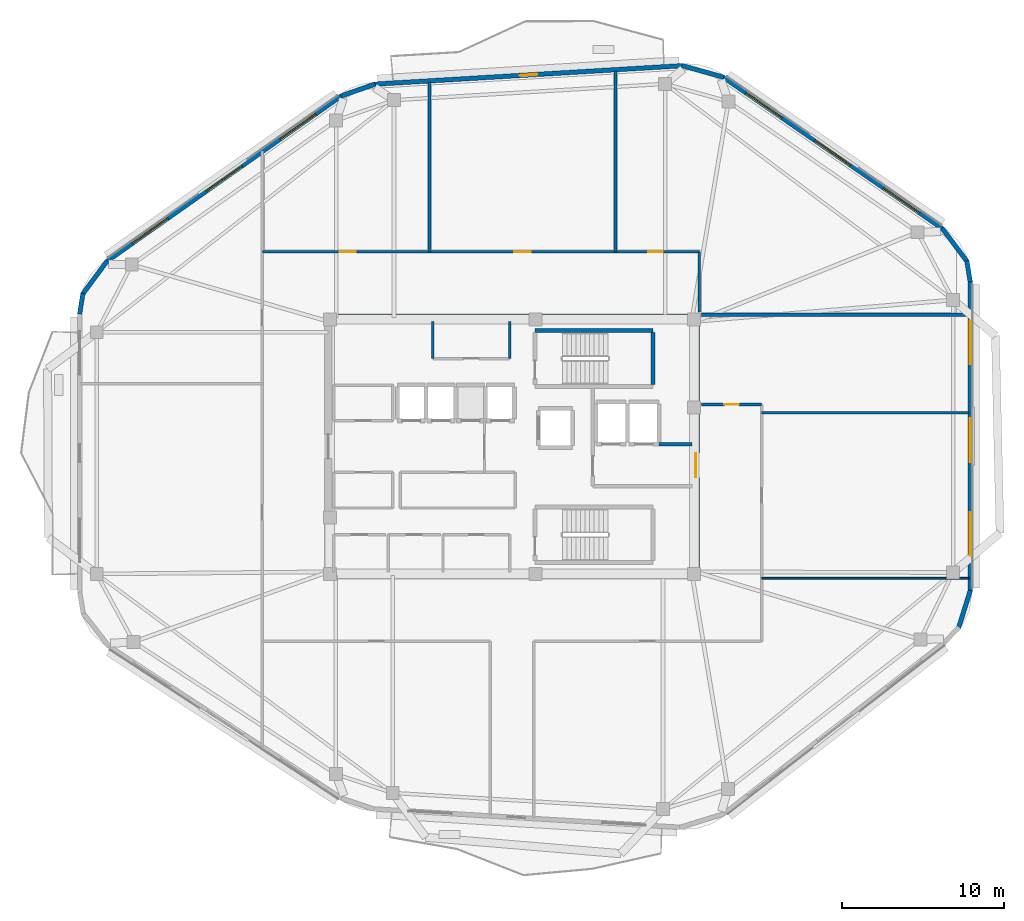
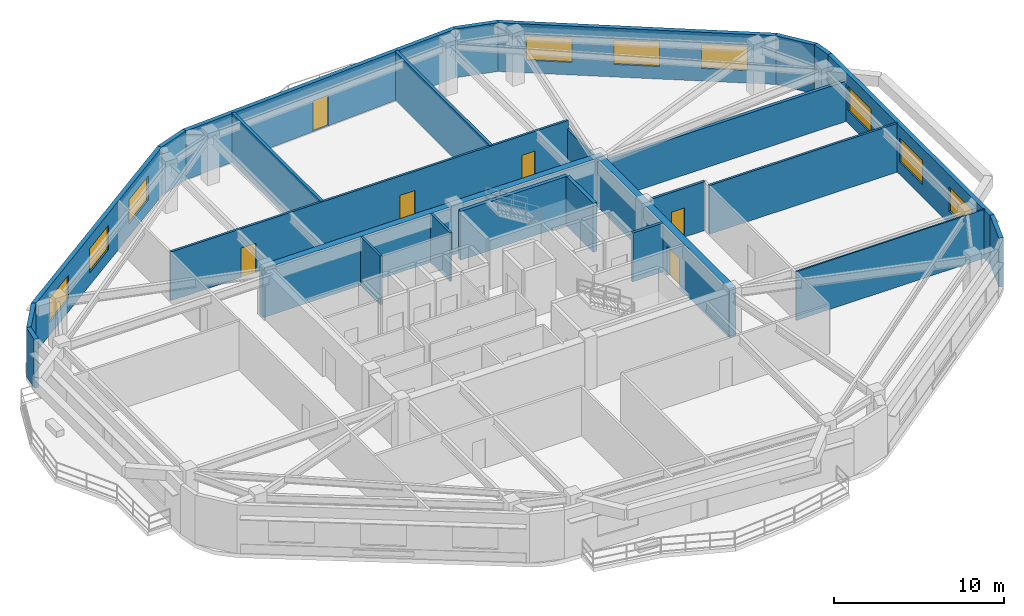
# One storey, part 5 of 10: 26 walls, 9 windows, 6 doors, 15 openings.
"""IFC4 building model written with IfcOpenShell, lengths in metres."""

from ifc_helpers import new_model, si_unit, direction, frame, frame_2d, origin, place, context, subcontext, project, spatial, rectangle, extrude, material, layer, layer_set, type_object, element, fill, save


model = new_model("IFC4")

# Units and contexts
model_context = context("Model", 3, precision=1e-05, world=origin(), true_north=direction((0.0, 1.0)))
body_context = subcontext(model_context, "Body", "Model", "MODEL_VIEW")
ifc_project = project(units=[si_unit("LENGTHUNIT", "METRE"), si_unit("AREAUNIT", "SQUARE_METRE"), si_unit("VOLUMEUNIT", "CUBIC_METRE"), si_unit("PLANEANGLEUNIT", "RADIAN"), si_unit("MASSUNIT", "GRAM", prefix="KILO")], contexts=[model_context])

# Site, building, storey
site_placement = place(None, origin())
site = spatial("IfcSite", under=ifc_project, at=site_placement, CompositionType="ELEMENT")
building_placement = place(site_placement, origin())
building = spatial("IfcBuilding", under=site, at=building_placement, Name="Zulverin Broadcast Headquarters", CompositionType="ELEMENT")
storey_placement = place(building_placement, frame((0.0, 0.0, 236.39990234375)))
storey = spatial("IfcBuildingStorey", under=building, at=storey_placement, Name="L60", CompositionType="ELEMENT", Elevation=236.39990234375)

# Walls
ifc_material_1 = material(Name="Acoustic drywall steel stud", Category="steel")
ifc_layer_1 = layer(ifc_material_1, 0.199951171875, Name="Acoustic drywall steel stud", Category="steel")
ifc_layer_set_1 = layer_set([ifc_layer_1], Name="Acoustic drywall steel stud")
wall_type_1 = type_object("IfcWallType", Name="WL-ACOU-200", PredefinedType="PARTITIONING", material=ifc_layer_set_1)
wall_1_placement = place(storey_placement, frame((43.39990234375, 37.25, 0.0), z_axis=(0.0, 0.0, 1.0), x_axis=(0.0, 1.0, 0.0)))
element("IfcWall", 1, at=wall_1_placement, inside=storey, type_object=wall_type_1, Name="L60 Room Partition Wall RP-03", PredefinedType="PARTITIONING", context=body_context, shape_type="SweptSolid", body=[
    extrude(rectangle(XDim=11.210693359375, YDim=0.199951171875, at=frame_2d((5.60546875, 0.0))), origin(), (0.0, 0.0, 1.0), 3.510009765625),
])
wall_2_placement = place(storey_placement, frame((31.89990234375, 37.25, 0.0), z_axis=(0.0, 0.0, 1.0), x_axis=(0.0, 1.0, 0.0)))
element("IfcWall", 2, at=wall_2_placement, inside=storey, type_object=wall_type_1, Name="L60 Room Partition Wall RP-06", PredefinedType="PARTITIONING", context=body_context, shape_type="SweptSolid", body=[
    extrude(rectangle(XDim=10.520263671875, YDim=0.199951171875, at=frame_2d((5.26025390625, 0.0))), origin(), (0.0, 0.0, 1.0), 3.510009765625),
])
ifc_material_2 = material(Name="Double-stud acoustic drywall", Category="gypsum")
ifc_layer_2 = layer(ifc_material_2, 0.219970703125, Name="Double-stud acoustic drywall", Category="gypsum")
ifc_layer_set_2 = layer_set([ifc_layer_2], Name="Double-stud acoustic drywall")
wall_type_2 = type_object("IfcWallType", Name="WL-ACOU-220", PredefinedType="PARTITIONING", material=ifc_layer_set_2)
wall_3_placement = place(storey_placement, frame((48.739990234375, 33.35009765625, 0.0), z_axis=(0.0, 0.0, 1.0), x_axis=(1.0, 0.0, 0.0)))
element("IfcWall", 3, at=wall_3_placement, inside=storey, type_object=wall_type_2, Name="L60 Room Partition Wall RP-14", PredefinedType="PARTITIONING", context=body_context, shape_type="SweptSolid", body=[
    extrude(rectangle(XDim=16.554931640625, YDim=0.219970703125, at=frame_2d((8.27734375, 0.0))), origin(), (0.0, 0.0, 1.0), 2.892822265625),
])
ifc_material_3 = material(Name="Concrete C50/60", Category="concrete")
ifc_layer_3 = layer(ifc_material_3, 0.449951171875, Name="Concrete C50/60", Category="concrete")
ifc_layer_set_3 = layer_set([ifc_layer_3], Name="Concrete C50/60")
wall_type_3 = type_object("IfcWallType", Name="WL-CORE-450", PredefinedType="SHEAR", material=ifc_layer_set_3)
wall_4_placement = place(storey_placement, frame((25.39990234375, 33.175048828125, 0.0), z_axis=(0.0, 0.0, 1.0), x_axis=(1.0, 0.0, 0.0)))
element("IfcWall", 4, at=wall_4_placement, inside=storey, type_object=wall_type_3, Name="L60 Core North Shear Wall", PredefinedType="SHEAR", context=body_context, shape_type="SweptSolid", body=[
    extrude(rectangle(XDim=23.2001953125, YDim=0.449951171875, at=frame_2d((11.60009765625, 0.0))), origin(), (0.0, 0.0, 1.0), 3.510009765625),
])

# Wall, opening, door
wall_5_placement = place(storey_placement, frame((48.375, 17.449951171875, 0.0), z_axis=(0.0, 0.0, 1.0), x_axis=(0.0, 1.0, 0.0)))
wall_5 = element("IfcWall", 5, at=wall_5_placement, inside=storey, type_object=wall_type_3, Name="L60 Core East Shear Wall", PredefinedType="SHEAR", context=body_context, shape_type="SweptSolid", body=[
    extrude(rectangle(XDim=15.5, YDim=0.449951171875, at=frame_2d((7.75, 0.0))), origin(), (0.0, 0.0, 1.0), 3.510009765625),
])
opening_1_placement = place(wall_5_placement, frame((5.85009765625, 0.0, 0.0)))
opening_1 = element("IfcOpeningElement", 6, at=opening_1_placement, cuts=wall_5, Name="Opening D-L60-CE1", PredefinedType="OPENING", context=body_context, shape_type="SweptSolid", body=[
    extrude(rectangle(XDim=1.5, YDim=2.14990234375, at=frame_2d((0.75, 1.074951171875))), frame((0.0, 0.23486328125, 0.0), z_axis=(0.0, -1.0, 0.0), x_axis=(1.0, 0.0, 0.0)), (0.0, 0.0, 1.0), 0.469970703125),
])
ifc_material_4 = material(Name="Fire-rated glazed steel frame", Category="steel")
door_type_1 = type_object("IfcDoorType", Name="DR-COR-1500", OperationType="DOUBLE_DOOR_SINGLE_SWING", PredefinedType="DOOR", material=ifc_material_4)
door_1_placement = place(opening_1_placement, origin())
door_1 = element("IfcDoor", 7, at=door_1_placement, inside=storey, type_object=door_type_1, Name="L60 Firefighting Lobby East Corridor Door", OperationType="DOUBLE_DOOR_SINGLE_SWING", OverallHeight=2.14990234375, OverallWidth=1.5, PredefinedType="DOOR", context=body_context, shape_type="SweptSolid", body=[
    extrude(rectangle(XDim=1.5, YDim=2.14990234375, at=frame_2d((0.75, 1.074951171875))), frame((0.0, 0.02490234375, 0.0), z_axis=(0.0, -1.0, 0.0), x_axis=(1.0, 0.0, 0.0)), (0.0, 0.0, 1.0), 0.050048828125),
])
fill(opening_1, door_1)

# Wall, openings, windows
ifc_material_5 = material(Name="Insulated pale-metal clad concrete spandrel C40/50", Category="concrete")
ifc_layer_4 = layer(ifc_material_5, 0.280029296875, Name="Insulated pale-metal clad concrete spandrel C40/50", Category="concrete")
ifc_layer_set_4 = layer_set([ifc_layer_4], Name="Insulated pale-metal clad concrete spandrel C40/50")
wall_type_4 = type_object("IfcWallType", Name="WL-EXT-280", PredefinedType="STANDARD", material=ifc_layer_set_4)
wall_6_placement = place(storey_placement, frame((65.360107421875, 16.2578125, 0.0), z_axis=(0.0, 0.0, 1.0), x_axis=(0.0, 1.0, 0.0)))
wall_6 = element("IfcWall", 8, at=wall_6_placement, inside=storey, type_object=wall_type_4, Name="L60 Pale-Metal Clad Spandrel Wall 3", PredefinedType="STANDARD", context=body_context, shape_type="SweptSolid", body=[
    extrude(rectangle(XDim=19.16796875, YDim=0.280029296875, at=frame_2d((9.583984375, 0.0))), origin(), (0.0, 0.0, 1.0), 3.510009765625),
])
opening_2_placement = place(wall_6_placement, frame((2.177978515625, 0.0, 0.89990234375)))
opening_2 = element("IfcOpeningElement", 9, at=opening_2_placement, cuts=wall_6, Name="Opening W-L60-E31", PredefinedType="OPENING", context=body_context, shape_type="SweptSolid", body=[
    extrude(rectangle(XDim=2.699951171875, YDim=1.75, at=frame_2d((1.35009765625, 0.875))), frame((0.0, 0.14990234375, 0.0), z_axis=(0.0, -1.0, 0.0), x_axis=(1.0, 0.0, 0.0)), (0.0, 0.0, 1.0), 0.300048828125),
])
opening_3_placement = place(wall_6_placement, frame((7.98388671875, 0.0, 0.89990234375)))
opening_3 = element("IfcOpeningElement", 10, at=opening_3_placement, cuts=wall_6, Name="Opening W-L60-E32", PredefinedType="OPENING", context=body_context, shape_type="SweptSolid", body=[
    extrude(rectangle(XDim=2.699951171875, YDim=1.75, at=frame_2d((1.35009765625, 0.875))), frame((0.0, 0.14990234375, 0.0), z_axis=(0.0, -1.0, 0.0), x_axis=(1.0, 0.0, 0.0)), (0.0, 0.0, 1.0), 0.300048828125),
])
opening_4_placement = place(wall_6_placement, frame((14.0400390625, 0.0, 0.89990234375)))
opening_4 = element("IfcOpeningElement", 11, at=opening_4_placement, cuts=wall_6, Name="Opening W-L60-E33", PredefinedType="OPENING", context=body_context, shape_type="SweptSolid", body=[
    extrude(rectangle(XDim=2.699951171875, YDim=1.75, at=frame_2d((1.35009765625, 0.875))), frame((0.0, 0.14990234375, 0.0), z_axis=(0.0, -1.0, 0.0), x_axis=(1.0, 0.0, 0.0)), (0.0, 0.0, 1.0), 0.300048828125),
])
ifc_material_6 = material(Name="Pale anodized aluminium frame with solar-control low-E double glazing", Category="aluminium")
window_type = type_object("IfcWindowType", Name="WIN-TWR-2700", PartitioningType="SINGLE_PANEL", PredefinedType="WINDOW", material=ifc_material_6)
window_1_placement = place(opening_2_placement, origin())
window_1 = element("IfcWindow", 12, at=window_1_placement, inside=storey, type_object=window_type, Name="L60 Ribbon Glazing Window 3 1", OverallHeight=1.75, OverallWidth=2.699951171875, PartitioningType="SINGLE_PANEL", PredefinedType="WINDOW", context=body_context, shape_type="SweptSolid", body=[
    extrude(rectangle(XDim=2.699951171875, YDim=1.75, at=frame_2d((1.35009765625, 0.875))), frame((0.0, 0.030029296875, 0.0), z_axis=(0.0, -1.0, 0.0), x_axis=(1.0, 0.0, 0.0)), (0.0, 0.0, 1.0), 0.06005859375),
])
fill(opening_2, window_1)
window_2_placement = place(opening_3_placement, origin())
window_2 = element("IfcWindow", 13, at=window_2_placement, inside=storey, type_object=window_type, Name="L60 Ribbon Glazing Window 3 2", OverallHeight=1.75, OverallWidth=2.699951171875, PartitioningType="SINGLE_PANEL", PredefinedType="WINDOW", context=body_context, shape_type="SweptSolid", body=[
    extrude(rectangle(XDim=2.699951171875, YDim=1.75, at=frame_2d((1.35009765625, 0.875))), frame((0.0, 0.030029296875, 0.0), z_axis=(0.0, -1.0, 0.0), x_axis=(1.0, 0.0, 0.0)), (0.0, 0.0, 1.0), 0.06005859375),
])
fill(opening_3, window_2)
window_3_placement = place(opening_4_placement, origin())
window_3 = element("IfcWindow", 14, at=window_3_placement, inside=storey, type_object=window_type, Name="L60 Ribbon Glazing Window 3 3", OverallHeight=1.75, OverallWidth=2.699951171875, PartitioningType="SINGLE_PANEL", PredefinedType="WINDOW", context=body_context, shape_type="SweptSolid", body=[
    extrude(rectangle(XDim=2.699951171875, YDim=1.75, at=frame_2d((1.35009765625, 0.875))), frame((0.0, 0.030029296875, 0.0), z_axis=(0.0, -1.0, 0.0), x_axis=(1.0, 0.0, 0.0)), (0.0, 0.0, 1.0), 0.06005859375),
])
fill(opening_4, window_3)

wall_7_placement = place(storey_placement, frame((63.6513671875, 38.683349609375, 0.0), z_axis=(0.0, 0.0, 1.0), x_axis=(-0.822655095, 0.568540759022, 0.0)))
wall_7 = element("IfcWall", 15, at=wall_7_placement, inside=storey, type_object=wall_type_4, Name="L60 Pale-Metal Clad Spandrel Wall 4", PredefinedType="STANDARD", context=body_context, shape_type="SweptSolid", body=[
    extrude(rectangle(XDim=16.52783203125, YDim=0.280029296875, at=frame_2d((8.263916015625, 0.0))), origin(), (0.0, 0.0, 1.0), 3.510009765625),
])
opening_5_placement = place(wall_7_placement, frame((1.738037109375, 0.0, 0.89990234375)))
opening_5 = element("IfcOpeningElement", 16, at=opening_5_placement, cuts=wall_7, Name="Opening W-L60-E41", PredefinedType="OPENING", context=body_context, shape_type="SweptSolid", body=[
    extrude(rectangle(XDim=2.699951171875, YDim=1.75, at=frame_2d((1.35009765625, 0.875))), frame((0.0, 0.14990234375, 0.0), z_axis=(0.0, -1.0, 0.0), x_axis=(1.0, 0.0, 0.0)), (0.0, 0.0, 1.0), 0.300048828125),
])
opening_6_placement = place(wall_7_placement, frame((6.9140625, 0.0, 0.89990234375)))
opening_6 = element("IfcOpeningElement", 17, at=opening_6_placement, cuts=wall_7, Name="Opening W-L60-E42", PredefinedType="OPENING", context=body_context, shape_type="SweptSolid", body=[
    extrude(rectangle(XDim=2.699951171875, YDim=1.75, at=frame_2d((1.35009765625, 0.875))), frame((0.0, 0.14990234375, 0.0), z_axis=(0.0, -1.0, 0.0), x_axis=(1.0, 0.0, 0.0)), (0.0, 0.0, 1.0), 0.300048828125),
])
opening_7_placement = place(wall_7_placement, frame((12.090087890625, 0.0, 0.89990234375)))
opening_7 = element("IfcOpeningElement", 18, at=opening_7_placement, cuts=wall_7, Name="Opening W-L60-E43", PredefinedType="OPENING", context=body_context, shape_type="SweptSolid", body=[
    extrude(rectangle(XDim=2.699951171875, YDim=1.75, at=frame_2d((1.35009765625, 0.875))), frame((0.0, 0.14990234375, 0.0), z_axis=(0.0, -1.0, 0.0), x_axis=(1.0, 0.0, 0.0)), (0.0, 0.0, 1.0), 0.300048828125),
])
window_4_placement = place(opening_5_placement, origin())
window_4 = element("IfcWindow", 19, at=window_4_placement, inside=storey, type_object=window_type, Name="L60 Ribbon Glazing Window 4 1", OverallHeight=1.75, OverallWidth=2.699951171875, PartitioningType="SINGLE_PANEL", PredefinedType="WINDOW", context=body_context, shape_type="SweptSolid", body=[
    extrude(rectangle(XDim=2.699951171875, YDim=1.75, at=frame_2d((1.35009765625, 0.875))), frame((0.0, 0.030029296875, 0.0), z_axis=(0.0, -1.0, 0.0), x_axis=(1.0, 0.0, 0.0)), (0.0, 0.0, 1.0), 0.06005859375),
])
fill(opening_5, window_4)
window_5_placement = place(opening_6_placement, origin())
window_5 = element("IfcWindow", 20, at=window_5_placement, inside=storey, type_object=window_type, Name="L60 Ribbon Glazing Window 4 2", OverallHeight=1.75, OverallWidth=2.699951171875, PartitioningType="SINGLE_PANEL", PredefinedType="WINDOW", context=body_context, shape_type="SweptSolid", body=[
    extrude(rectangle(XDim=2.699951171875, YDim=1.75, at=frame_2d((1.35009765625, 0.875))), frame((0.0, 0.030029296875, 0.0), z_axis=(0.0, -1.0, 0.0), x_axis=(1.0, 0.0, 0.0)), (0.0, 0.0, 1.0), 0.06005859375),
])
fill(opening_6, window_5)
window_6_placement = place(opening_7_placement, origin())
window_6 = element("IfcWindow", 21, at=window_6_placement, inside=storey, type_object=window_type, Name="L60 Ribbon Glazing Window 4 3", OverallHeight=1.75, OverallWidth=2.699951171875, PartitioningType="SINGLE_PANEL", PredefinedType="WINDOW", context=body_context, shape_type="SweptSolid", body=[
    extrude(rectangle(XDim=2.699951171875, YDim=1.75, at=frame_2d((1.35009765625, 0.875))), frame((0.0, 0.030029296875, 0.0), z_axis=(0.0, -1.0, 0.0), x_axis=(1.0, 0.0, 0.0)), (0.0, 0.0, 1.0), 0.06005859375),
])
fill(opening_7, window_6)

# Wall, opening, door
wall_8_placement = place(storey_placement, frame((47.56591796875, 48.775390625, 0.0), z_axis=(0.0, 0.0, 1.0), x_axis=(-0.998202767485, -0.059926913695, 0.0)))
wall_8 = element("IfcWall", 22, at=wall_8_placement, inside=storey, type_object=wall_type_4, Name="L60 Pale-Metal Clad Spandrel Wall 5", PredefinedType="STANDARD", context=body_context, shape_type="SweptSolid", body=[
    extrude(rectangle(XDim=19.111083984375, YDim=0.280029296875, at=frame_2d((9.5556640625, 0.0))), origin(), (0.0, 0.0, 1.0), 3.510009765625),
])
opening_8_placement = place(wall_8_placement, frame((9.00537109375, 0.0, 0.0)))
opening_8 = element("IfcOpeningElement", 23, at=opening_8_placement, cuts=wall_8, Name="Opening D-L60-TR5", PredefinedType="OPENING", context=body_context, shape_type="SweptSolid", body=[
    extrude(rectangle(XDim=1.10009765625, YDim=2.199951171875, at=frame_2d((0.550048828125, 1.10009765625))), frame((0.0, 0.14990234375, 0.0), z_axis=(0.0, -1.0, 0.0), x_axis=(1.0, 0.0, 0.0)), (0.0, 0.0, 1.0), 0.300048828125),
])
ifc_material_7 = material(Name="Thermally broken aluminium glazed", Category="aluminium")
door_type_2 = type_object("IfcDoorType", Name="DR-TERR-1100", OperationType="SINGLE_SWING_RIGHT", PredefinedType="DOOR", material=ifc_material_7)
door_2_placement = place(opening_8_placement, origin())
door_2 = element("IfcDoor", 24, at=door_2_placement, inside=storey, type_object=door_type_2, Name="L60 Planted Terrace Glazed Access Door 5", OperationType="SINGLE_SWING_RIGHT", OverallHeight=2.199951171875, OverallWidth=1.10009765625, PredefinedType="DOOR", context=body_context, shape_type="SweptSolid", body=[
    extrude(rectangle(XDim=1.10009765625, YDim=2.199951171875, at=frame_2d((0.550048828125, 1.10009765625))), frame((0.0, 0.02490234375, 0.0), z_axis=(0.0, -1.0, 0.0), x_axis=(1.0, 0.0, 0.0)), (0.0, 0.0, 1.0), 0.050048828125),
])
fill(opening_8, door_2)

# Wall, openings, windows
wall_9_placement = place(storey_placement, frame((26.443115234375, 46.91259765625, 0.0), z_axis=(0.0, 0.0, 1.0), x_axis=(-0.817024179766, -0.576603407619, 0.0)))
wall_9 = element("IfcWall", 25, at=wall_9_placement, inside=storey, type_object=wall_type_4, Name="L60 Pale-Metal Clad Spandrel Wall 6", PredefinedType="STANDARD", context=body_context, shape_type="SweptSolid", body=[
    extrude(rectangle(XDim=17.77978515625, YDim=0.280029296875, at=frame_2d((8.889892578125, 0.0))), origin(), (0.0, 0.0, 1.0), 3.510009765625),
])
opening_9_placement = place(wall_9_placement, frame((1.94677734375, 0.0, 0.89990234375)))
opening_9 = element("IfcOpeningElement", 26, at=opening_9_placement, cuts=wall_9, Name="Opening W-L60-E61", PredefinedType="OPENING", context=body_context, shape_type="SweptSolid", body=[
    extrude(rectangle(XDim=2.699951171875, YDim=1.75, at=frame_2d((1.35009765625, 0.875))), frame((0.0, 0.14990234375, 0.0), z_axis=(0.0, -1.0, 0.0), x_axis=(1.0, 0.0, 0.0)), (0.0, 0.0, 1.0), 0.300048828125),
])
opening_10_placement = place(wall_9_placement, frame((7.5400390625, 0.0, 0.89990234375)))
opening_10 = element("IfcOpeningElement", 27, at=opening_10_placement, cuts=wall_9, Name="Opening W-L60-E62", PredefinedType="OPENING", context=body_context, shape_type="SweptSolid", body=[
    extrude(rectangle(XDim=2.699951171875, YDim=1.75, at=frame_2d((1.35009765625, 0.875))), frame((0.0, 0.14990234375, 0.0), z_axis=(0.0, -1.0, 0.0), x_axis=(1.0, 0.0, 0.0)), (0.0, 0.0, 1.0), 0.300048828125),
])
opening_11_placement = place(wall_9_placement, frame((13.13330078125, 0.0, 0.89990234375)))
opening_11 = element("IfcOpeningElement", 28, at=opening_11_placement, cuts=wall_9, Name="Opening W-L60-E63", PredefinedType="OPENING", context=body_context, shape_type="SweptSolid", body=[
    extrude(rectangle(XDim=2.699951171875, YDim=1.75, at=frame_2d((1.35009765625, 0.875))), frame((0.0, 0.14990234375, 0.0), z_axis=(0.0, -1.0, 0.0), x_axis=(1.0, 0.0, 0.0)), (0.0, 0.0, 1.0), 0.300048828125),
])
window_7_placement = place(opening_9_placement, origin())
window_7 = element("IfcWindow", 29, at=window_7_placement, inside=storey, type_object=window_type, Name="L60 Ribbon Glazing Window 6 1", OverallHeight=1.75, OverallWidth=2.699951171875, PartitioningType="SINGLE_PANEL", PredefinedType="WINDOW", context=body_context, shape_type="SweptSolid", body=[
    extrude(rectangle(XDim=2.699951171875, YDim=1.75, at=frame_2d((1.35009765625, 0.875))), frame((0.0, 0.030029296875, 0.0), z_axis=(0.0, -1.0, 0.0), x_axis=(1.0, 0.0, 0.0)), (0.0, 0.0, 1.0), 0.06005859375),
])
fill(opening_9, window_7)
window_8_placement = place(opening_10_placement, origin())
window_8 = element("IfcWindow", 30, at=window_8_placement, inside=storey, type_object=window_type, Name="L60 Ribbon Glazing Window 6 2", OverallHeight=1.75, OverallWidth=2.699951171875, PartitioningType="SINGLE_PANEL", PredefinedType="WINDOW", context=body_context, shape_type="SweptSolid", body=[
    extrude(rectangle(XDim=2.699951171875, YDim=1.75, at=frame_2d((1.35009765625, 0.875))), frame((0.0, 0.030029296875, 0.0), z_axis=(0.0, -1.0, 0.0), x_axis=(1.0, 0.0, 0.0)), (0.0, 0.0, 1.0), 0.06005859375),
])
fill(opening_10, window_8)
window_9_placement = place(opening_11_placement, origin())
window_9 = element("IfcWindow", 31, at=window_9_placement, inside=storey, type_object=window_type, Name="L60 Ribbon Glazing Window 6 3", OverallHeight=1.75, OverallWidth=2.699951171875, PartitioningType="SINGLE_PANEL", PredefinedType="WINDOW", context=body_context, shape_type="SweptSolid", body=[
    extrude(rectangle(XDim=2.699951171875, YDim=1.75, at=frame_2d((1.35009765625, 0.875))), frame((0.0, 0.030029296875, 0.0), z_axis=(0.0, -1.0, 0.0), x_axis=(1.0, 0.0, 0.0)), (0.0, 0.0, 1.0), 0.06005859375),
])
fill(opening_11, window_9)

# Walls
wall_10_placement = place(storey_placement, frame((64.635009765625, 13.962158203125, 0.0), z_axis=(0.0, 0.0, 1.0), x_axis=(0.298649578722, 0.954362839348, 0.0)))
element("IfcWall", 32, at=wall_10_placement, inside=storey, type_object=wall_type_4, Name="L60 Wind-Shaped Corner Spandrel Wall 2-2", PredefinedType="STANDARD", context=body_context, shape_type="SweptSolid", body=[
    extrude(rectangle(XDim=2.44921875, YDim=0.280029296875, at=frame_2d((1.224609375, 0.0))), origin(), (0.0, 0.0, 1.0), 3.510009765625),
])
wall_11_placement = place(storey_placement, frame((65.36181640625, 35.4033203125, 0.0), z_axis=(0.0, 0.0, 1.0), x_axis=(-0.160271674114, 0.987072940809, 0.0)))
element("IfcWall", 33, at=wall_11_placement, inside=storey, type_object=wall_type_4, Name="L60 Wind-Shaped Corner Spandrel Wall 3-1", PredefinedType="STANDARD", context=body_context, shape_type="SweptSolid", body=[
    extrude(rectangle(XDim=1.314697265625, YDim=0.280029296875, at=frame_2d((0.6572265625, 0.0))), origin(), (0.0, 0.0, 1.0), 3.510009765625),
])
wall_12_placement = place(storey_placement, frame((65.17724609375, 36.63916015625, 0.0), z_axis=(0.0, 0.0, 1.0), x_axis=(-0.600436386467, 0.799672524104, 0.0)))
element("IfcWall", 34, at=wall_12_placement, inside=storey, type_object=wall_type_4, Name="L60 Wind-Shaped Corner Spandrel Wall 3-2", PredefinedType="STANDARD", context=body_context, shape_type="SweptSolid", body=[
    extrude(rectangle(XDim=2.595458984375, YDim=0.280029296875, at=frame_2d((1.2978515625, 0.0))), origin(), (0.0, 0.0, 1.0), 3.510009765625),
])
wall_13_placement = place(storey_placement, frame((50.096435546875, 48.060546875, 0.0), z_axis=(0.0, 0.0, 1.0), x_axis=(-0.963108887091, 0.269112005688, 0.0)))
element("IfcWall", 35, at=wall_13_placement, inside=storey, type_object=wall_type_4, Name="L60 Wind-Shaped Corner Spandrel Wall 4-1", PredefinedType="STANDARD", context=body_context, shape_type="SweptSolid", body=[
    extrude(rectangle(XDim=2.67529296875, YDim=0.280029296875, at=frame_2d((1.337646484375, 0.0))), origin(), (0.0, 0.0, 1.0), 3.510009765625),
])
wall_14_placement = place(storey_placement, frame((28.527099609375, 47.6376953125, 0.0), z_axis=(0.0, 0.0, 1.0), x_axis=(-0.943686979207, -0.330839667022, 0.0)))
element("IfcWall", 36, at=wall_14_placement, inside=storey, type_object=wall_type_4, Name="L60 Wind-Shaped Corner Spandrel Wall 5-1", PredefinedType="STANDARD", context=body_context, shape_type="SweptSolid", body=[
    extrude(rectangle(XDim=2.244873046875, YDim=0.280029296875, at=frame_2d((1.12255859375, 0.0))), origin(), (0.0, 0.0, 1.0), 3.510009765625),
])
wall_15_placement = place(storey_placement, frame((11.948486328125, 36.69189453125, 0.0), z_axis=(0.0, 0.0, 1.0), x_axis=(-0.595170751493, -0.803599263668, 0.0)))
element("IfcWall", 37, at=wall_15_placement, inside=storey, type_object=wall_type_4, Name="L60 Wind-Shaped Corner Spandrel Wall 6-1", PredefinedType="STANDARD", context=body_context, shape_type="SweptSolid", body=[
    extrude(rectangle(XDim=2.56982421875, YDim=0.280029296875, at=frame_2d((1.284912109375, 0.0))), origin(), (0.0, 0.0, 1.0), 3.510009765625),
])
wall_16_placement = place(storey_placement, frame((10.444580078125, 34.68798828125, 0.0), z_axis=(0.0, 0.0, 1.0), x_axis=(-0.158524605336, -0.987355027081, 0.0)))
element("IfcWall", 38, at=wall_16_placement, inside=storey, type_object=wall_type_4, Name="L60 Wind-Shaped Corner Spandrel Wall 6-2", PredefinedType="STANDARD", context=body_context, shape_type="SweptSolid", body=[
    extrude(rectangle(XDim=1.30126953125, YDim=0.280029296875, at=frame_2d((0.650634765625, 0.0))), origin(), (0.0, 0.0, 1.0), 3.510009765625),
])
ifc_material_8 = material(Name="Concrete C40/50", Category="concrete")
ifc_layer_5 = layer(ifc_material_8, 0.199951171875, Name="Concrete C40/50", Category="concrete")
ifc_layer_set_5 = layer_set([ifc_layer_5], Name="Concrete C40/50")
wall_type_5 = type_object("IfcWallType", Name="WL-FFL-200", PredefinedType="SOLIDWALL", material=ifc_layer_set_5)
wall_17_placement = place(storey_placement, frame((46.10009765625, 25.35009765625, 0.0), z_axis=(0.0, 0.0, 1.0), x_axis=(1.0, 0.0, 0.0)))
element("IfcWall", 39, at=wall_17_placement, inside=storey, type_object=wall_type_5, Name="L60 Firefighting Lift Lobby North Wall", PredefinedType="SOLIDWALL", context=body_context, shape_type="SweptSolid", body=[
    extrude(rectangle(XDim=2.0498046875, YDim=0.199951171875, at=frame_2d((1.02490234375, 0.0))), origin(), (0.0, 0.0, 1.0), 3.510009765625),
])
ifc_material_9 = material(Name="Fire-rated acoustic laminated glass screen", Category="glass")
ifc_layer_6 = layer(ifc_material_9, 0.10009765625, Name="Fire-rated acoustic laminated glass screen", Category="glass")
ifc_layer_set_6 = layer_set([ifc_layer_6], Name="Fire-rated acoustic laminated glass screen")
wall_type_6 = type_object("IfcWallType", Name="WL-GLAZ-100", PredefinedType="PARTITIONING", material=ifc_layer_set_6)
wall_18_placement = place(storey_placement, frame((52.449951171875, 17.050048828125, 0.0), z_axis=(0.0, 0.0, 1.0), x_axis=(1.0, 0.0, 0.0)))
element("IfcWall", 40, at=wall_18_placement, inside=storey, type_object=wall_type_6, Name="L60 Room Partition Wall RP-10", PredefinedType="PARTITIONING", context=body_context, shape_type="SweptSolid", body=[
    extrude(rectangle(XDim=12.844970703125, YDim=0.10009765625, at=frame_2d((6.42236328125, 0.0))), origin(), (0.0, 0.0, 1.0), 3.510009765625),
])
ifc_material_10 = material(Name="Fire-rated gypsum stud partition", Category="gypsum")
ifc_layer_7 = layer(ifc_material_10, 0.14990234375, Name="Fire-rated gypsum stud partition", Category="gypsum")
ifc_layer_set_7 = layer_set([ifc_layer_7], Name="Fire-rated gypsum stud partition")
wall_type_7 = type_object("IfcWallType", Name="WL-PART-150", PredefinedType="PARTITIONING", material=ifc_layer_set_7)
for number, where, z_axis, x_axis, name in (
    (41, (32.10009765625, 30.64990234375, 0.0), (0.0, 0.0, 1.0), (0.0, 1.0, 0.0), "L60 Core Accessible WC & Electrical Riser West Wall"),
    (42, (36.85009765625, 30.64990234375, 0.0), (0.0, 0.0, 1.0), (0.0, 1.0, 0.0), "L60 Core Accessible WC & Electrical Riser East Wall"),
):
    element("IfcWall", number, at=place(storey_placement, frame(where, z_axis=z_axis, x_axis=x_axis)), inside=storey, type_object=wall_type_7, Name=name, PredefinedType="PARTITIONING", context=body_context, shape_type="SweptSolid", body=[
        extrude(rectangle(XDim=2.300048828125, YDim=0.14990234375, at=frame_2d((1.14990234375, 0.0))), origin(), (0.0, 0.0, 1.0), 3.510009765625),
    ])
wall_19_placement = place(storey_placement, frame((48.60009765625, 33.5400390625, 0.0), z_axis=(0.0, 0.0, 1.0), x_axis=(0.0, 1.0, 0.0)))
element("IfcWall", 43, at=wall_19_placement, inside=storey, type_object=wall_type_7, Name="L60 Gallery Partition Wall CG-02", PredefinedType="PARTITIONING", context=body_context, shape_type="SweptSolid", body=[
    extrude(rectangle(XDim=3.7099609375, YDim=0.14990234375, at=frame_2d((1.85498046875, 0.0))), origin(), (0.0, 0.0, 1.0), 2.892822265625),
])
wall_20_placement = place(storey_placement, frame((52.449951171875, 27.300048828125, 0.0), z_axis=(0.0, 0.0, 1.0), x_axis=(1.0, 0.0, 0.0)))
element("IfcWall", 44, at=wall_20_placement, inside=storey, type_object=wall_type_7, Name="L60 Room Partition Wall RP-11", PredefinedType="PARTITIONING", context=body_context, shape_type="SweptSolid", body=[
    extrude(rectangle(XDim=12.844970703125, YDim=0.14990234375, at=frame_2d((6.42236328125, 0.0))), origin(), (0.0, 0.0, 1.0), 3.510009765625),
])

# Wall, openings, doors
wall_21_placement = place(storey_placement, frame((21.550048828125, 37.25, 0.0), z_axis=(0.0, 0.0, 1.0), x_axis=(1.0, 0.0, 0.0)))
wall_21 = element("IfcWall", 45, at=wall_21_placement, inside=storey, type_object=wall_type_7, Name="L60 Gallery Partition Wall CG-15", PredefinedType="PARTITIONING", context=body_context, shape_type="SweptSolid", body=[
    extrude(rectangle(XDim=27.050048828125, YDim=0.14990234375, at=frame_2d((13.52490234375, 0.0))), origin(), (0.0, 0.0, 1.0), 3.510009765625),
])
opening_12_placement = place(wall_21_placement, frame((4.794921875, 0.0, 0.0)))
opening_12 = element("IfcOpeningElement", 46, at=opening_12_placement, cuts=wall_21, Name="Opening D-L60-01", PredefinedType="OPENING", context=body_context, shape_type="SweptSolid", body=[
    extrude(rectangle(XDim=1.0, YDim=2.1201171875, at=frame_2d((0.5, 1.06005859375))), frame((0.0, 0.0849609375, 0.0), z_axis=(0.0, -1.0, 0.0), x_axis=(1.0, 0.0, 0.0)), (0.0, 0.0, 1.0), 0.169921875),
])
opening_13_placement = place(wall_21_placement, frame((15.60009765625, 0.0, 0.0)))
opening_13 = element("IfcOpeningElement", 47, at=opening_13_placement, cuts=wall_21, Name="Opening D-L60-02", PredefinedType="OPENING", context=body_context, shape_type="SweptSolid", body=[
    extrude(rectangle(XDim=1.0, YDim=2.1201171875, at=frame_2d((0.5, 1.06005859375))), frame((0.0, 0.0849609375, 0.0), z_axis=(0.0, -1.0, 0.0), x_axis=(1.0, 0.0, 0.0)), (0.0, 0.0, 1.0), 0.169921875),
])
opening_14_placement = place(wall_21_placement, frame((23.8798828125, 0.0, 0.0)))
opening_14 = element("IfcOpeningElement", 48, at=opening_14_placement, cuts=wall_21, Name="Opening D-L60-03", PredefinedType="OPENING", context=body_context, shape_type="SweptSolid", body=[
    extrude(rectangle(XDim=0.89990234375, YDim=2.10009765625, at=frame_2d((0.449951171875, 1.050048828125))), frame((0.0, 0.0849609375, 0.0), z_axis=(0.0, -1.0, 0.0), x_axis=(1.0, 0.0, 0.0)), (0.0, 0.0, 1.0), 0.169921875),
])
ifc_material_11 = material(Name="Hardwood veneer acoustic leaf", Category="wood")
door_type_3 = type_object("IfcDoorType", Name="DR-OFF-1000", OperationType="SINGLE_SWING_LEFT", PredefinedType="DOOR", material=ifc_material_11)
door_3_placement = place(opening_12_placement, origin())
door_3 = element("IfcDoor", 49, at=door_3_placement, inside=storey, type_object=door_type_3, Name="L60 Corporate Communications Office Door", OperationType="SINGLE_SWING_LEFT", OverallHeight=2.1201171875, OverallWidth=1.0, PredefinedType="DOOR", context=body_context, shape_type="SweptSolid", body=[
    extrude(rectangle(XDim=1.0, YDim=2.1201171875, at=frame_2d((0.5, 1.06005859375))), frame((0.0, 0.02490234375, 0.0), z_axis=(0.0, -1.0, 0.0), x_axis=(1.0, 0.0, 0.0)), (0.0, 0.0, 1.0), 0.050048828125),
])
fill(opening_12, door_3)
door_4_placement = place(opening_13_placement, origin())
door_4 = element("IfcDoor", 50, at=door_4_placement, inside=storey, type_object=door_type_3, Name="L60 Press Office Door", OperationType="SINGLE_SWING_RIGHT", OverallHeight=2.1201171875, OverallWidth=1.0, PredefinedType="DOOR", context=body_context, shape_type="SweptSolid", body=[
    extrude(rectangle(XDim=1.0, YDim=2.1201171875, at=frame_2d((0.5, 1.06005859375))), frame((0.0, 0.02490234375, 0.0), z_axis=(0.0, -1.0, 0.0), x_axis=(1.0, 0.0, 0.0)), (0.0, 0.0, 1.0), 0.050048828125),
])
fill(opening_13, door_4)
ifc_material_12 = material(Name="Fire-rated hardwood veneer timber leaf", Category="wood")
door_type_4 = type_object("IfcDoorType", Name="DR-ROOM-900", OperationType="SINGLE_SWING_RIGHT", PredefinedType="DOOR", material=ifc_material_12)
door_5_placement = place(opening_14_placement, origin())
door_5 = element("IfcDoor", 51, at=door_5_placement, inside=storey, type_object=door_type_4, Name="L60 Media Coaching Suite Door", OperationType="SINGLE_SWING_LEFT", OverallHeight=2.10009765625, OverallWidth=0.89990234375, PredefinedType="DOOR", context=body_context, shape_type="SweptSolid", body=[
    extrude(rectangle(XDim=0.89990234375, YDim=2.10009765625, at=frame_2d((0.449951171875, 1.050048828125))), frame((0.0, 0.02490234375, 0.0), z_axis=(0.0, -1.0, 0.0), x_axis=(1.0, 0.0, 0.0)), (0.0, 0.0, 1.0), 0.050048828125),
])
fill(opening_14, door_5)

# Wall, opening, door
ifc_material_13 = material(Name="Fire-rated acoustic stud wall", Category="gypsum")
ifc_layer_8 = layer(ifc_material_13, 0.175048828125, Name="Fire-rated acoustic stud wall", Category="gypsum")
ifc_layer_set_8 = layer_set([ifc_layer_8], Name="Fire-rated acoustic stud wall")
wall_type_8 = type_object("IfcWallType", Name="WL-PART-175", PredefinedType="PARTITIONING", material=ifc_layer_set_8)
wall_22_placement = place(storey_placement, frame((48.739990234375, 27.800048828125, 0.0), z_axis=(0.0, 0.0, 1.0), x_axis=(1.0, 0.0, 0.0)))
wall_22 = element("IfcWall", 52, at=wall_22_placement, inside=storey, type_object=wall_type_8, Name="L60 Gallery Partition Wall CG-12", PredefinedType="PARTITIONING", context=body_context, shape_type="SweptSolid", body=[
    extrude(rectangle(XDim=3.7099609375, YDim=0.175048828125, at=frame_2d((1.85498046875, 0.0))), origin(), (0.0, 0.0, 1.0), 3.510009765625),
])
opening_15_placement = place(wall_22_placement, frame((1.405029296875, 0.0, 0.0)))
opening_15 = element("IfcOpeningElement", 53, at=opening_15_placement, cuts=wall_22, Name="Opening D-L60-09", PredefinedType="OPENING", context=body_context, shape_type="SweptSolid", body=[
    extrude(rectangle(XDim=0.89990234375, YDim=2.10009765625, at=frame_2d((0.449951171875, 1.050048828125))), frame((0.0, 0.097412109375, 0.0), z_axis=(0.0, -1.0, 0.0), x_axis=(1.0, 0.0, 0.0)), (0.0, 0.0, 1.0), 0.195068359375),
])
door_6_placement = place(opening_15_placement, origin())
door_6 = element("IfcDoor", 54, at=door_6_placement, inside=storey, type_object=door_type_4, Name="L60 Press Reception Door", OperationType="SINGLE_SWING_LEFT", OverallHeight=2.10009765625, OverallWidth=0.89990234375, PredefinedType="DOOR", context=body_context, shape_type="SweptSolid", body=[
    extrude(rectangle(XDim=0.89990234375, YDim=2.10009765625, at=frame_2d((0.449951171875, 1.050048828125))), frame((0.0, 0.02490234375, 0.0), z_axis=(0.0, -1.0, 0.0), x_axis=(1.0, 0.0, 0.0)), (0.0, 0.0, 1.0), 0.050048828125),
])
fill(opening_15, door_6)

# Walls
ifc_layer_9 = layer(ifc_material_3, 0.25, Name="Concrete C50/60", Category="concrete")
ifc_layer_set_9 = layer_set([ifc_layer_9], Name="Concrete C50/60")
wall_type_9 = type_object("IfcWallType", Name="WL-SHAFT-250", PredefinedType="SHEAR", material=ifc_layer_set_9)
wall_23_placement = place(storey_placement, frame((38.425048828125, 32.375, 0.0), z_axis=(0.0, 0.0, 1.0), x_axis=(1.0, 0.0, 0.0)))
element("IfcWall", 55, at=wall_23_placement, inside=storey, type_object=wall_type_9, Name="L60 ST-1 Enclosure Wall N", PredefinedType="SHEAR", context=body_context, shape_type="SweptSolid", body=[
    extrude(rectangle(XDim=7.300048828125, YDim=0.25, at=frame_2d((3.64990234375, 0.0))), origin(), (0.0, 0.0, 1.0), 3.510009765625),
])
wall_24_placement = place(storey_placement, frame((45.72509765625, 29.050048828125, 0.0), z_axis=(0.0, 0.0, 1.0), x_axis=(0.0, 1.0, 0.0)))
element("IfcWall", 56, at=wall_24_placement, inside=storey, type_object=wall_type_9, Name="L60 ST-1 Enclosure Wall E", PredefinedType="SHEAR", context=body_context, shape_type="SweptSolid", body=[
    extrude(rectangle(XDim=3.199951171875, YDim=0.25, at=frame_2d((1.60009765625, 0.0))), origin(), (0.0, 0.0, 1.0), 3.510009765625),
])

save(model, "model.ifc")
